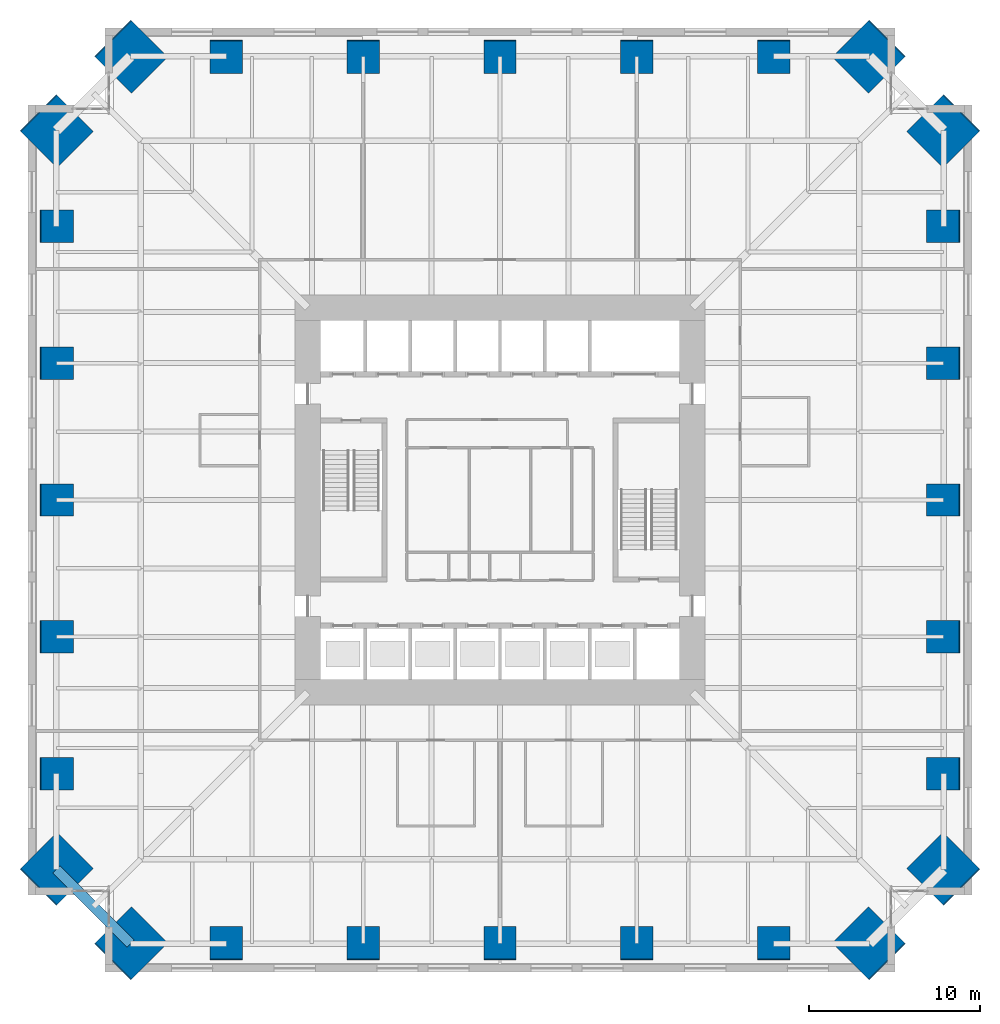
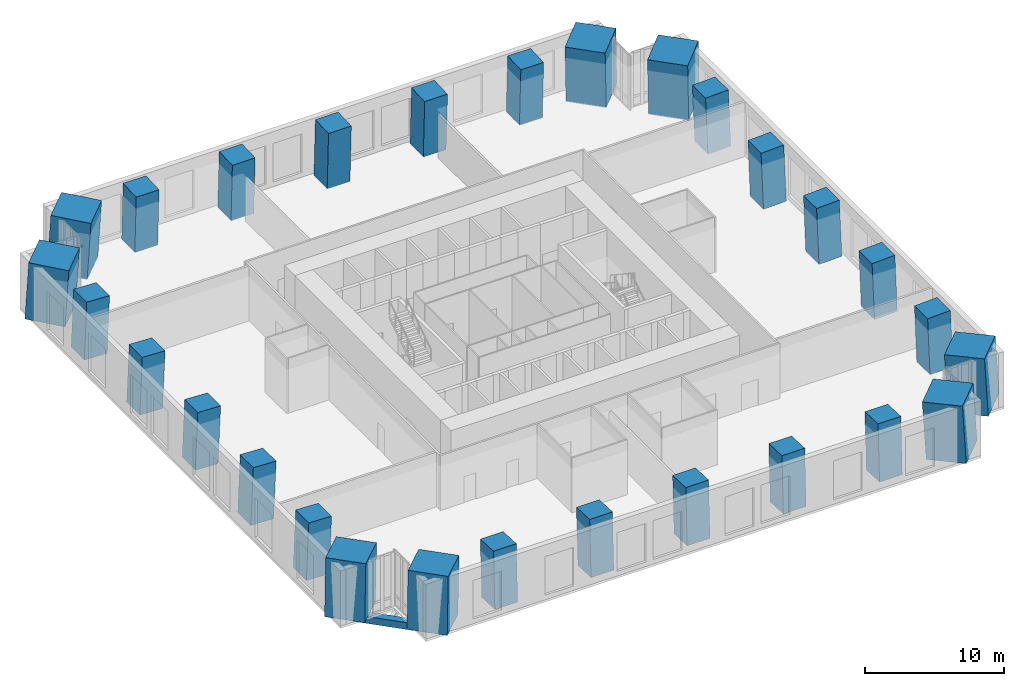
# One storey, part 1 of 18: 28 columns, 1 beam.
"""IFC4 building model written with IfcOpenShell, lengths in metres."""

from ifc_helpers import new_model, si_unit, direction, frame, origin, origin_2d, place, context, subcontext, project, spatial, rectangle, hollow_rectangle, extrude, material, material_profile, profile_set, type_object, element, save


model = new_model("IFC4")

# Units and contexts
model_context = context("Model", 3, precision=1e-05, world=origin(), true_north=direction((0.0, 1.0)))
body_context = subcontext(model_context, "Body", "Model", "MODEL_VIEW")
ifc_project = project(units=[si_unit("LENGTHUNIT", "METRE"), si_unit("AREAUNIT", "SQUARE_METRE"), si_unit("VOLUMEUNIT", "CUBIC_METRE"), si_unit("PLANEANGLEUNIT", "RADIAN"), si_unit("MASSUNIT", "GRAM", prefix="KILO")], contexts=[model_context])

# Site, building, storey
site_placement = place(None, origin())
site = spatial("IfcSite", under=ifc_project, at=site_placement, CompositionType="ELEMENT")
building_placement = place(site_placement, origin())
building = spatial("IfcBuilding", under=site, at=building_placement, Name="Peilmerk Tower", CompositionType="ELEMENT")
storey_placement = place(building_placement, frame((0.0, 0.0, 122.800048828125)))
storey = spatial("IfcBuildingStorey", under=building, at=storey_placement, Name="L24", CompositionType="ELEMENT", Elevation=122.800048828125)

# Columns
ifc_material_1 = material(Name="Concrete C90/105", Category="concrete")
ifc_material_profile_1 = material_profile(ifc_material_1, rectangle(XDim=3.0, YDim=3.0, at=origin_2d()), Name="RC 3000x3000")
ifc_profile_set_1 = profile_set([ifc_material_profile_1], Name="Concrete C90/105")
column_type_1 = type_object("IfcColumnType", Name="MC2 3000x3000 encased mega column", PredefinedType="COLUMN", material=ifc_profile_set_1)
for number, where, z_axis, x_axis, name in (
    (1, (21.59521484375, 25.945068359375, 0.0), (-0.040266662877, -0.04021791389, 0.998379244207), (0.706678361564, -0.707534941396, 0.0), "Mega column MC2 NE_N L24"),
    (2, (25.945068359375, 21.59521484375, 0.0), (-0.04021791389, -0.040266662877, 0.998379244207), (0.707534941396, -0.706678361564, 0.0), "Mega column MC2 NE_E L24"),
    (3, (25.945068359375, -21.59521484375, 0.0), (-0.04021791389, 0.040266662877, 0.998379244207), (-0.707534941396, -0.706678361564, 0.0), "Mega column MC2 SE_E L24"),
    (4, (21.59521484375, -25.945068359375, 0.0), (-0.040266662877, 0.04021791389, 0.998379244207), (-0.706678361564, -0.707534941396, 0.0), "Mega column MC2 SE_S L24"),
    (5, (-21.59521484375, -25.945068359375, 0.0), (0.040266662877, 0.04021791389, 0.998379244207), (-0.706678361564, 0.707534941396, 0.0), "Mega column MC2 SW_S L24"),
    (6, (-25.945068359375, -21.59521484375, 0.0), (0.04021791389, 0.040266662877, 0.998379244207), (-0.707534941396, 0.706678361564, 0.0), "Mega column MC2 SW_W L24"),
    (7, (-25.945068359375, 21.59521484375, 0.0), (0.04021791389, -0.040266662877, 0.998379244207), (0.707534941396, 0.706678361564, 0.0), "Mega column MC2 NW_W L24"),
    (8, (-21.59521484375, 25.945068359375, 0.0), (0.040266662877, -0.04021791389, 0.998379244207), (0.706678361564, 0.707534941396, 0.0), "Mega column MC2 NW_N L24"),
):
    element("IfcColumn", number, at=place(storey_placement, frame(where, z_axis=z_axis, x_axis=x_axis)), inside=storey, type_object=column_type_1, Name=name, PredefinedType="COLUMN", context=body_context, shape_type="SweptSolid", body=[
        extrude(rectangle(XDim=3.0, YDim=3.0, at=origin_2d()), origin(), (0.0, 0.0, 1.0), 5.008056640625),
    ])
ifc_material_profile_2 = material_profile(ifc_material_1, rectangle(XDim=1.89990234375, YDim=1.89990234375, at=origin_2d()), Name="RC 1900x1900")
ifc_profile_set_2 = profile_set([ifc_material_profile_2], Name="Concrete C90/105")
column_type_2 = type_object("IfcColumnType", Name="SC5 1900x1900 encased perimeter column", PredefinedType="COLUMN", material=ifc_profile_set_2)
for number, where, z_axis, x_axis, name in (
    (9, (0.0, 25.945068359375, 0.0), (0.0, -0.040250558339, 0.999189617917), (1.0, 0.0, 0.0), "Perimeter column N+0 L24"),
    (10, (8.0, 25.945068359375, 0.0), (0.0, -0.040250558339, 0.999189617917), (1.0, 0.0, 0.0), "Perimeter column N-8 L24"),
    (11, (-8.0, 25.945068359375, 0.0), (0.0, -0.040250558339, 0.999189617917), (1.0, 0.0, 0.0), "Perimeter column N+8 L24"),
    (12, (16.0, 25.945068359375, 0.0), (0.0, -0.040250558339, 0.999189617917), (1.0, 0.0, 0.0), "Perimeter column N-16 L24"),
    (13, (-16.0, 25.945068359375, 0.0), (0.0, -0.040250558339, 0.999189617917), (1.0, 0.0, 0.0), "Perimeter column N+16 L24"),
    (14, (25.945068359375, 0.0, 0.0), (-0.040250558339, 0.0, 0.999189617917), (0.0, -1.0, 0.0), "Perimeter column E+0 L24"),
    (15, (25.945068359375, -8.0, 0.0), (-0.040250558339, 0.0, 0.999189617917), (0.0, -1.0, 0.0), "Perimeter column E-8 L24"),
    (16, (25.945068359375, 8.0, 0.0), (-0.040250558339, 0.0, 0.999189617917), (0.0, -1.0, 0.0), "Perimeter column E+8 L24"),
    (17, (25.945068359375, -16.0, 0.0), (-0.040250558339, 0.0, 0.999189617917), (0.0, -1.0, 0.0), "Perimeter column E-16 L24"),
    (18, (25.945068359375, 16.0, 0.0), (-0.040250558339, 0.0, 0.999189617917), (0.0, -1.0, 0.0), "Perimeter column E+16 L24"),
    (19, (0.0, -25.945068359375, 0.0), (0.0, 0.040250558339, 0.999189617917), (-1.0, 0.0, 0.0), "Perimeter column S+0 L24"),
    (20, (-8.0, -25.945068359375, 0.0), (0.0, 0.040250558339, 0.999189617917), (-1.0, 0.0, 0.0), "Perimeter column S-8 L24"),
    (21, (8.0, -25.945068359375, 0.0), (0.0, 0.040250558339, 0.999189617917), (-1.0, 0.0, 0.0), "Perimeter column S+8 L24"),
    (22, (-16.0, -25.945068359375, 0.0), (0.0, 0.040250558339, 0.999189617917), (-1.0, 0.0, 0.0), "Perimeter column S-16 L24"),
    (23, (16.0, -25.945068359375, 0.0), (0.0, 0.040250558339, 0.999189617917), (-1.0, 0.0, 0.0), "Perimeter column S+16 L24"),
    (24, (-25.945068359375, 0.0, 0.0), (0.040250558339, 0.0, 0.999189617917), (0.0, 1.0, 0.0), "Perimeter column W+0 L24"),
    (25, (-25.945068359375, 8.0, 0.0), (0.040250558339, 0.0, 0.999189617917), (0.0, 1.0, 0.0), "Perimeter column W-8 L24"),
    (26, (-25.945068359375, -8.0, 0.0), (0.040250558339, 0.0, 0.999189617917), (0.0, 1.0, 0.0), "Perimeter column W+8 L24"),
    (27, (-25.945068359375, 16.0, 0.0), (0.040250558339, 0.0, 0.999189617917), (0.0, 1.0, 0.0), "Perimeter column W-16 L24"),
    (28, (-25.945068359375, -16.0, 0.0), (0.040250558339, 0.0, 0.999189617917), (0.0, 1.0, 0.0), "Perimeter column W+16 L24"),
):
    element("IfcColumn", number, at=place(storey_placement, frame(where, z_axis=z_axis, x_axis=x_axis)), inside=storey, type_object=column_type_2, Name=name, PredefinedType="COLUMN", context=body_context, shape_type="SweptSolid", body=[
        extrude(rectangle(XDim=1.89990234375, YDim=1.89990234375, at=origin_2d()), origin(), (0.0, 0.0, 1.0), 5.004150390625),
    ])

# Beam
ifc_material_2 = material(Name="Steel S460", Category="steel")
ifc_material_profile_3 = material_profile(ifc_material_2, hollow_rectangle(XDim=0.60009765625, YDim=0.60009765625, WallThickness=0.06005859375, at=origin_2d()), Name="BOX 600x600x60")
ifc_profile_set_3 = profile_set([ifc_material_profile_3], Name="Steel S460")
beam_type = type_object("IfcBeamType", Name="B20 BOX 600x600x60 notch beam", PredefinedType="SPANDREL", material=ifc_profile_set_3)
beam_placement = place(storey_placement, frame((-21.59521484375, -25.945068359375, -0.5), z_axis=(-0.707106781187, 0.707106781187, 0.0), x_axis=(-0.707106781187, -0.707106781187, 0.0)))
element("IfcBeam", 29, at=beam_placement, inside=storey, type_object=beam_type, Name="Notch beam L24", PredefinedType="SPANDREL", context=body_context, shape_type="SweptSolid", body=[
    extrude(hollow_rectangle(XDim=0.60009765625, YDim=0.60009765625, WallThickness=0.06005859375, at=origin_2d()), origin(), (0.0, 0.0, 1.0), 6.151611328125),
])

save(model, "model.ifc")
